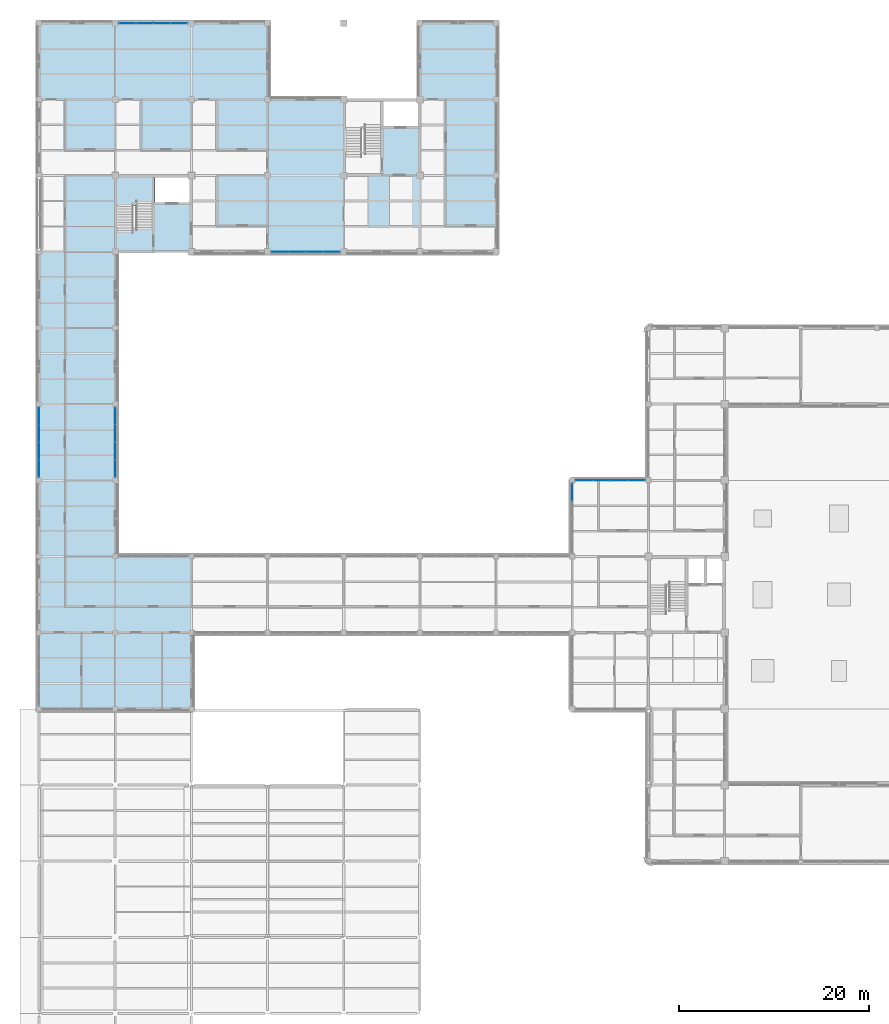
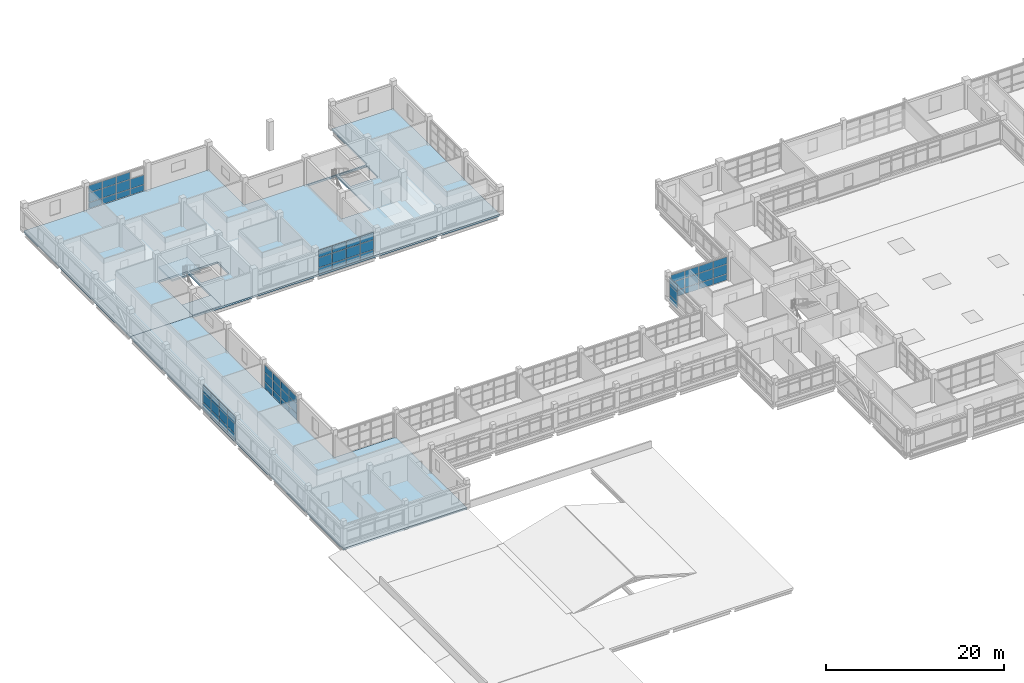
# One storey, part 62 of 107: 62 plates, 4 slabs, 7 elements without a shape of their own.
"""IFC4 building model written with IfcOpenShell, lengths in metres."""

from ifc_helpers import new_model, si_unit, derived_unit, direction, frame, origin, origin_2d, place, context, subcontext, project, spatial, polyline, rectangle, outline, extrude, material, layer, layer_set, type_object, element, aggregate, save


model = new_model("IFC4")

# Units and contexts
model_context = context("Model", 3, precision=1e-05, world=origin(), true_north=direction((0.0, 1.0)))
body_context = subcontext(model_context, "Body", "Model", "MODEL_VIEW")
ifc_project = project(units=[si_unit("LENGTHUNIT", "METRE"), si_unit("AREAUNIT", "SQUARE_METRE"), si_unit("VOLUMEUNIT", "CUBIC_METRE"), si_unit("PLANEANGLEUNIT", "RADIAN"), si_unit("MASSUNIT", "GRAM", prefix="KILO"), derived_unit("THERMALTRANSMITTANCEUNIT", [(si_unit("MASSUNIT", "GRAM", prefix="KILO"), 1), (si_unit("TIMEUNIT", "SECOND"), -3), (si_unit("THERMODYNAMICTEMPERATUREUNIT", "KELVIN"), -1)])], contexts=[model_context])

# Site, building, storey
site_placement = place(None, origin())
site = spatial("IfcSite", under=ifc_project, at=site_placement, CompositionType="ELEMENT")
building_placement = place(site_placement, origin())
building = spatial("IfcBuilding", under=site, at=building_placement, Name="Veyamyaing Civic Hall", CompositionType="ELEMENT")
storey_placement = place(building_placement, frame((0.0, 0.0, 13.860107421875)))
storey = spatial("IfcBuildingStorey", under=building, at=storey_placement, Name="L03", CompositionType="ELEMENT", Elevation=13.860107421875)

# Curtain wall, plates
ifc_material_1 = material(Name="Anodised aluminium 6063-T6", Category="aluminium")
ifc_layer_1 = layer(ifc_material_1, 0.159912109375, Name="Anodised aluminium 6063-T6")
ifc_layer_set_1 = layer_set([ifc_layer_1], Name="Anodised aluminium 6063-T6")
curtain_wall_type = type_object("IfcCurtainWallType", Name="CW-07", PredefinedType="NOTDEFINED", material=ifc_layer_set_1)
curtain_wall_1_placement = place(storey_placement, origin())
curtain_wall_1 = element("IfcCurtainWall", 1, at=curtain_wall_1_placement, inside=storey, type_object=curtain_wall_type, Name="Unitized curtain wall CW-07 L03 W 1.9", PredefinedType="NOTDEFINED")
ifc_material_2 = material(Name="Low-E insulated glass", Category="glass")
ifc_layer_2 = layer(ifc_material_2, 0.028076171875, Name="Low-E insulated glass")
ifc_layer_set_2 = layer_set([ifc_layer_2], Name="Low-E insulated glass")
plate_type = type_object("IfcPlateType", Name="CWP-01", PredefinedType="CURTAIN_PANEL", material=ifc_layer_set_2)
plate_1_placement = place(storey_placement, frame((0.0, 65.2451171875, 0.06494140625), z_axis=(0.0, 0.0, 1.0), x_axis=(0.0, 1.0, 0.0)))
plate_1 = element("IfcPlate", 2, at=plate_1_placement, type_object=plate_type, Name="CW-07 panel 1.1", PredefinedType="CURTAIN_PANEL", context=body_context, shape_type="SweptSolid", body=[
    extrude(rectangle(XDim=1.75, YDim=0.028076171875, at=origin_2d()), origin(), (0.0, 0.0, 1.0), 0.802490234375),
])
plate_2_placement = place(storey_placement, frame((0.0, 65.2451171875, 0.932373046875), z_axis=(0.0, 0.0, 1.0), x_axis=(0.0, 1.0, 0.0)))
plate_2 = element("IfcPlate", 3, at=plate_2_placement, type_object=plate_type, Name="CW-07 panel 1.2", PredefinedType="CURTAIN_PANEL", context=body_context, shape_type="SweptSolid", body=[
    extrude(rectangle(XDim=1.75, YDim=0.028076171875, at=origin_2d()), origin(), (0.0, 0.0, 1.0), 1.32470703125),
])
plate_3_placement = place(storey_placement, frame((0.0, 65.2451171875, 2.322021484375), z_axis=(0.0, 0.0, 1.0), x_axis=(0.0, 1.0, 0.0)))
plate_3 = element("IfcPlate", 4, at=plate_3_placement, type_object=plate_type, Name="CW-07 panel 1.3", PredefinedType="CURTAIN_PANEL", context=body_context, shape_type="SweptSolid", body=[
    extrude(rectangle(XDim=1.75, YDim=0.028076171875, at=origin_2d()), origin(), (0.0, 0.0, 1.0), 0.97998046875),
])
plate_4_placement = place(storey_placement, frame((0.0, 67.076171875, 0.06494140625), z_axis=(0.0, 0.0, 1.0), x_axis=(0.0, 1.0, 0.0)))
plate_4 = element("IfcPlate", 5, at=plate_4_placement, type_object=plate_type, Name="CW-07 panel 2.1", PredefinedType="CURTAIN_PANEL", context=body_context, shape_type="SweptSolid", body=[
    extrude(rectangle(XDim=1.782470703125, YDim=0.028076171875, at=origin_2d()), origin(), (0.0, 0.0, 1.0), 0.802490234375),
])
plate_5_placement = place(storey_placement, frame((0.0, 67.076171875, 0.932373046875), z_axis=(0.0, 0.0, 1.0), x_axis=(0.0, 1.0, 0.0)))
plate_5 = element("IfcPlate", 6, at=plate_5_placement, type_object=plate_type, Name="CW-07 panel 2.2", PredefinedType="CURTAIN_PANEL", context=body_context, shape_type="SweptSolid", body=[
    extrude(rectangle(XDim=1.782470703125, YDim=0.028076171875, at=origin_2d()), origin(), (0.0, 0.0, 1.0), 1.32470703125),
])
plate_6_placement = place(storey_placement, frame((0.0, 67.076171875, 2.322021484375), z_axis=(0.0, 0.0, 1.0), x_axis=(0.0, 1.0, 0.0)))
plate_6 = element("IfcPlate", 7, at=plate_6_placement, type_object=plate_type, Name="CW-07 panel 2.3", PredefinedType="CURTAIN_PANEL", context=body_context, shape_type="SweptSolid", body=[
    extrude(rectangle(XDim=1.782470703125, YDim=0.028076171875, at=origin_2d()), origin(), (0.0, 0.0, 1.0), 0.97998046875),
])
plate_7_placement = place(storey_placement, frame((0.0, 68.923828125, 0.06494140625), z_axis=(0.0, 0.0, 1.0), x_axis=(0.0, 1.0, 0.0)))
plate_7 = element("IfcPlate", 8, at=plate_7_placement, type_object=plate_type, Name="CW-07 panel 3.1", PredefinedType="CURTAIN_PANEL", context=body_context, shape_type="SweptSolid", body=[
    extrude(rectangle(XDim=1.782470703125, YDim=0.028076171875, at=origin_2d()), origin(), (0.0, 0.0, 1.0), 0.802490234375),
])
plate_8_placement = place(storey_placement, frame((0.0, 68.923828125, 0.932373046875), z_axis=(0.0, 0.0, 1.0), x_axis=(0.0, 1.0, 0.0)))
plate_8 = element("IfcPlate", 9, at=plate_8_placement, type_object=plate_type, Name="CW-07 panel 3.2", PredefinedType="CURTAIN_PANEL", context=body_context, shape_type="SweptSolid", body=[
    extrude(rectangle(XDim=1.782470703125, YDim=0.028076171875, at=origin_2d()), origin(), (0.0, 0.0, 1.0), 1.32470703125),
])
plate_9_placement = place(storey_placement, frame((0.0, 68.923828125, 2.322021484375), z_axis=(0.0, 0.0, 1.0), x_axis=(0.0, 1.0, 0.0)))
plate_9 = element("IfcPlate", 10, at=plate_9_placement, type_object=plate_type, Name="CW-07 panel 3.3", PredefinedType="CURTAIN_PANEL", context=body_context, shape_type="SweptSolid", body=[
    extrude(rectangle(XDim=1.782470703125, YDim=0.028076171875, at=origin_2d()), origin(), (0.0, 0.0, 1.0), 0.97998046875),
])
plate_10_placement = place(storey_placement, frame((0.0, 70.7548828125, 0.06494140625), z_axis=(0.0, 0.0, 1.0), x_axis=(0.0, 1.0, 0.0)))
plate_10 = element("IfcPlate", 11, at=plate_10_placement, type_object=plate_type, Name="CW-07 panel 4.1", PredefinedType="CURTAIN_PANEL", context=body_context, shape_type="SweptSolid", body=[
    extrude(rectangle(XDim=1.75, YDim=0.028076171875, at=origin_2d()), origin(), (0.0, 0.0, 1.0), 0.802490234375),
])
plate_11_placement = place(storey_placement, frame((0.0, 70.7548828125, 0.932373046875), z_axis=(0.0, 0.0, 1.0), x_axis=(0.0, 1.0, 0.0)))
plate_11 = element("IfcPlate", 12, at=plate_11_placement, type_object=plate_type, Name="CW-07 panel 4.2", PredefinedType="CURTAIN_PANEL", context=body_context, shape_type="SweptSolid", body=[
    extrude(rectangle(XDim=1.75, YDim=0.028076171875, at=origin_2d()), origin(), (0.0, 0.0, 1.0), 1.32470703125),
])
plate_12_placement = place(storey_placement, frame((0.0, 70.7548828125, 2.322021484375), z_axis=(0.0, 0.0, 1.0), x_axis=(0.0, 1.0, 0.0)))
plate_12 = element("IfcPlate", 13, at=plate_12_placement, type_object=plate_type, Name="CW-07 panel 4.3", PredefinedType="CURTAIN_PANEL", context=body_context, shape_type="SweptSolid", body=[
    extrude(rectangle(XDim=1.75, YDim=0.028076171875, at=origin_2d()), origin(), (0.0, 0.0, 1.0), 0.97998046875),
])
aggregate(curtain_wall_1, [plate_1, plate_2, plate_3, plate_4, plate_5, plate_6, plate_7, plate_8, plate_9, plate_10, plate_11, plate_12])

curtain_wall_2_placement = place(storey_placement, origin())
curtain_wall_2 = element("IfcCurtainWall", 14, at=curtain_wall_2_placement, inside=storey, type_object=curtain_wall_type, Name="Unitized curtain wall CW-07 L03 E 1.9", PredefinedType="NOTDEFINED")
plate_13_placement = place(storey_placement, frame((8.0, 65.2451171875, 0.06494140625), z_axis=(0.0, 0.0, 1.0), x_axis=(0.0, 1.0, 0.0)))
plate_13 = element("IfcPlate", 15, at=plate_13_placement, type_object=plate_type, Name="CW-07 panel 1.1", PredefinedType="CURTAIN_PANEL", context=body_context, shape_type="SweptSolid", body=[
    extrude(rectangle(XDim=1.75, YDim=0.028076171875, at=origin_2d()), origin(), (0.0, 0.0, 1.0), 0.802490234375),
])
plate_14_placement = place(storey_placement, frame((8.0, 65.2451171875, 0.93212890625), z_axis=(0.0, 0.0, 1.0), x_axis=(0.0, 1.0, 0.0)))
plate_14 = element("IfcPlate", 16, at=plate_14_placement, type_object=plate_type, Name="CW-07 panel 1.2", PredefinedType="CURTAIN_PANEL", context=body_context, shape_type="SweptSolid", body=[
    extrude(rectangle(XDim=1.75, YDim=0.028076171875, at=origin_2d()), origin(), (0.0, 0.0, 1.0), 1.279052734375),
])
plate_15_placement = place(storey_placement, frame((8.0, 65.2451171875, 2.2763671875), z_axis=(0.0, 0.0, 1.0), x_axis=(0.0, 1.0, 0.0)))
plate_15 = element("IfcPlate", 17, at=plate_15_placement, type_object=plate_type, Name="CW-07 panel 1.3", PredefinedType="CURTAIN_PANEL", context=body_context, shape_type="SweptSolid", body=[
    extrude(rectangle(XDim=1.75, YDim=0.028076171875, at=origin_2d()), origin(), (0.0, 0.0, 1.0), 0.95849609375),
])
plate_16_placement = place(storey_placement, frame((8.0, 67.076171875, 0.06494140625), z_axis=(0.0, 0.0, 1.0), x_axis=(0.0, 1.0, 0.0)))
plate_16 = element("IfcPlate", 18, at=plate_16_placement, type_object=plate_type, Name="CW-07 panel 2.1", PredefinedType="CURTAIN_PANEL", context=body_context, shape_type="SweptSolid", body=[
    extrude(rectangle(XDim=1.782470703125, YDim=0.028076171875, at=origin_2d()), origin(), (0.0, 0.0, 1.0), 0.802490234375),
])
plate_17_placement = place(storey_placement, frame((8.0, 67.076171875, 0.93212890625), z_axis=(0.0, 0.0, 1.0), x_axis=(0.0, 1.0, 0.0)))
plate_17 = element("IfcPlate", 19, at=plate_17_placement, type_object=plate_type, Name="CW-07 panel 2.2", PredefinedType="CURTAIN_PANEL", context=body_context, shape_type="SweptSolid", body=[
    extrude(rectangle(XDim=1.782470703125, YDim=0.028076171875, at=origin_2d()), origin(), (0.0, 0.0, 1.0), 1.279052734375),
])
plate_18_placement = place(storey_placement, frame((8.0, 67.076171875, 2.2763671875), z_axis=(0.0, 0.0, 1.0), x_axis=(0.0, 1.0, 0.0)))
plate_18 = element("IfcPlate", 20, at=plate_18_placement, type_object=plate_type, Name="CW-07 panel 2.3", PredefinedType="CURTAIN_PANEL", context=body_context, shape_type="SweptSolid", body=[
    extrude(rectangle(XDim=1.782470703125, YDim=0.028076171875, at=origin_2d()), origin(), (0.0, 0.0, 1.0), 0.95849609375),
])
plate_19_placement = place(storey_placement, frame((8.0, 68.923828125, 0.06494140625), z_axis=(0.0, 0.0, 1.0), x_axis=(0.0, 1.0, 0.0)))
plate_19 = element("IfcPlate", 21, at=plate_19_placement, type_object=plate_type, Name="CW-07 panel 3.1", PredefinedType="CURTAIN_PANEL", context=body_context, shape_type="SweptSolid", body=[
    extrude(rectangle(XDim=1.782470703125, YDim=0.028076171875, at=origin_2d()), origin(), (0.0, 0.0, 1.0), 0.802490234375),
])
plate_20_placement = place(storey_placement, frame((8.0, 68.923828125, 0.93212890625), z_axis=(0.0, 0.0, 1.0), x_axis=(0.0, 1.0, 0.0)))
plate_20 = element("IfcPlate", 22, at=plate_20_placement, type_object=plate_type, Name="CW-07 panel 3.2", PredefinedType="CURTAIN_PANEL", context=body_context, shape_type="SweptSolid", body=[
    extrude(rectangle(XDim=1.782470703125, YDim=0.028076171875, at=origin_2d()), origin(), (0.0, 0.0, 1.0), 1.279052734375),
])
plate_21_placement = place(storey_placement, frame((8.0, 68.923828125, 2.2763671875), z_axis=(0.0, 0.0, 1.0), x_axis=(0.0, 1.0, 0.0)))
plate_21 = element("IfcPlate", 23, at=plate_21_placement, type_object=plate_type, Name="CW-07 panel 3.3", PredefinedType="CURTAIN_PANEL", context=body_context, shape_type="SweptSolid", body=[
    extrude(rectangle(XDim=1.782470703125, YDim=0.028076171875, at=origin_2d()), origin(), (0.0, 0.0, 1.0), 0.95849609375),
])
plate_22_placement = place(storey_placement, frame((8.0, 70.7548828125, 0.06494140625), z_axis=(0.0, 0.0, 1.0), x_axis=(0.0, 1.0, 0.0)))
plate_22 = element("IfcPlate", 24, at=plate_22_placement, type_object=plate_type, Name="CW-07 panel 4.1", PredefinedType="CURTAIN_PANEL", context=body_context, shape_type="SweptSolid", body=[
    extrude(rectangle(XDim=1.75, YDim=0.028076171875, at=origin_2d()), origin(), (0.0, 0.0, 1.0), 0.802490234375),
])
plate_23_placement = place(storey_placement, frame((8.0, 70.7548828125, 0.93212890625), z_axis=(0.0, 0.0, 1.0), x_axis=(0.0, 1.0, 0.0)))
plate_23 = element("IfcPlate", 25, at=plate_23_placement, type_object=plate_type, Name="CW-07 panel 4.2", PredefinedType="CURTAIN_PANEL", context=body_context, shape_type="SweptSolid", body=[
    extrude(rectangle(XDim=1.75, YDim=0.028076171875, at=origin_2d()), origin(), (0.0, 0.0, 1.0), 1.279052734375),
])
plate_24_placement = place(storey_placement, frame((8.0, 70.7548828125, 2.2763671875), z_axis=(0.0, 0.0, 1.0), x_axis=(0.0, 1.0, 0.0)))
plate_24 = element("IfcPlate", 26, at=plate_24_placement, type_object=plate_type, Name="CW-07 panel 4.3", PredefinedType="CURTAIN_PANEL", context=body_context, shape_type="SweptSolid", body=[
    extrude(rectangle(XDim=1.75, YDim=0.028076171875, at=origin_2d()), origin(), (0.0, 0.0, 1.0), 0.95849609375),
])
aggregate(curtain_wall_2, [plate_13, plate_14, plate_15, plate_16, plate_17, plate_18, plate_19, plate_20, plate_21, plate_22, plate_23, plate_24])

curtain_wall_3_placement = place(storey_placement, origin())
curtain_wall_3 = element("IfcCurtainWall", 27, at=curtain_wall_3_placement, inside=storey, type_object=curtain_wall_type, Name="Unitized curtain wall CW-07 L03 N 2.14", PredefinedType="NOTDEFINED")
plate_25_placement = place(storey_placement, frame((9.282470703125, 112.0, 0.06494140625), z_axis=(0.0, 0.0, 1.0), x_axis=(1.0, 0.0, 0.0)))
plate_25 = element("IfcPlate", 28, at=plate_25_placement, type_object=plate_type, Name="CW-07 panel 1.1", PredefinedType="CURTAIN_PANEL", context=body_context, shape_type="SweptSolid", body=[
    extrude(rectangle(XDim=1.72509765625, YDim=0.028076171875, at=origin_2d()), origin(), (0.0, 0.0, 1.0), 0.802490234375),
])
plate_26_placement = place(storey_placement, frame((9.282470703125, 112.0, 0.932373046875), z_axis=(0.0, 0.0, 1.0), x_axis=(1.0, 0.0, 0.0)))
plate_26 = element("IfcPlate", 29, at=plate_26_placement, type_object=plate_type, Name="CW-07 panel 1.2", PredefinedType="CURTAIN_PANEL", context=body_context, shape_type="SweptSolid", body=[
    extrude(rectangle(XDim=1.72509765625, YDim=0.028076171875, at=origin_2d()), origin(), (0.0, 0.0, 1.0), 1.28173828125),
])
plate_27_placement = place(storey_placement, frame((9.282470703125, 112.0, 2.279296875), z_axis=(0.0, 0.0, 1.0), x_axis=(1.0, 0.0, 0.0)))
plate_27 = element("IfcPlate", 30, at=plate_27_placement, type_object=plate_type, Name="CW-07 panel 1.3", PredefinedType="CURTAIN_PANEL", context=body_context, shape_type="SweptSolid", body=[
    extrude(rectangle(XDim=1.72509765625, YDim=0.028076171875, at=origin_2d()), origin(), (0.0, 0.0, 1.0), 0.959716796875),
])
plate_28_placement = place(storey_placement, frame((11.0888671875, 112.0, 0.06494140625), z_axis=(0.0, 0.0, 1.0), x_axis=(1.0, 0.0, 0.0)))
plate_28 = element("IfcPlate", 31, at=plate_28_placement, type_object=plate_type, Name="CW-07 panel 2.1", PredefinedType="CURTAIN_PANEL", context=body_context, shape_type="SweptSolid", body=[
    extrude(rectangle(XDim=1.757568359375, YDim=0.028076171875, at=origin_2d()), origin(), (0.0, 0.0, 1.0), 0.802490234375),
])
plate_29_placement = place(storey_placement, frame((11.0888671875, 112.0, 0.932373046875), z_axis=(0.0, 0.0, 1.0), x_axis=(1.0, 0.0, 0.0)))
plate_29 = element("IfcPlate", 32, at=plate_29_placement, type_object=plate_type, Name="CW-07 panel 2.2", PredefinedType="CURTAIN_PANEL", context=body_context, shape_type="SweptSolid", body=[
    extrude(rectangle(XDim=1.757568359375, YDim=0.028076171875, at=origin_2d()), origin(), (0.0, 0.0, 1.0), 1.28173828125),
])
plate_30_placement = place(storey_placement, frame((11.0888671875, 112.0, 2.279296875), z_axis=(0.0, 0.0, 1.0), x_axis=(1.0, 0.0, 0.0)))
plate_30 = element("IfcPlate", 33, at=plate_30_placement, type_object=plate_type, Name="CW-07 panel 2.3", PredefinedType="CURTAIN_PANEL", context=body_context, shape_type="SweptSolid", body=[
    extrude(rectangle(XDim=1.757568359375, YDim=0.028076171875, at=origin_2d()), origin(), (0.0, 0.0, 1.0), 0.959716796875),
])
plate_31_placement = place(storey_placement, frame((12.9111328125, 112.0, 0.06494140625), z_axis=(0.0, 0.0, 1.0), x_axis=(1.0, 0.0, 0.0)))
plate_31 = element("IfcPlate", 34, at=plate_31_placement, type_object=plate_type, Name="CW-07 panel 3.1", PredefinedType="CURTAIN_PANEL", context=body_context, shape_type="SweptSolid", body=[
    extrude(rectangle(XDim=1.757568359375, YDim=0.028076171875, at=origin_2d()), origin(), (0.0, 0.0, 1.0), 0.802490234375),
])
plate_32_placement = place(storey_placement, frame((12.9111328125, 112.0, 0.932373046875), z_axis=(0.0, 0.0, 1.0), x_axis=(1.0, 0.0, 0.0)))
plate_32 = element("IfcPlate", 35, at=plate_32_placement, type_object=plate_type, Name="CW-07 panel 3.2", PredefinedType="CURTAIN_PANEL", context=body_context, shape_type="SweptSolid", body=[
    extrude(rectangle(XDim=1.757568359375, YDim=0.028076171875, at=origin_2d()), origin(), (0.0, 0.0, 1.0), 1.28173828125),
])
plate_33_placement = place(storey_placement, frame((12.9111328125, 112.0, 2.279296875), z_axis=(0.0, 0.0, 1.0), x_axis=(1.0, 0.0, 0.0)))
plate_33 = element("IfcPlate", 36, at=plate_33_placement, type_object=plate_type, Name="CW-07 panel 3.3", PredefinedType="CURTAIN_PANEL", context=body_context, shape_type="SweptSolid", body=[
    extrude(rectangle(XDim=1.757568359375, YDim=0.028076171875, at=origin_2d()), origin(), (0.0, 0.0, 1.0), 0.959716796875),
])
plate_34_placement = place(storey_placement, frame((14.717529296875, 112.0, 0.06494140625), z_axis=(0.0, 0.0, 1.0), x_axis=(1.0, 0.0, 0.0)))
plate_34 = element("IfcPlate", 37, at=plate_34_placement, type_object=plate_type, Name="CW-07 panel 4.1", PredefinedType="CURTAIN_PANEL", context=body_context, shape_type="SweptSolid", body=[
    extrude(rectangle(XDim=1.72509765625, YDim=0.028076171875, at=origin_2d()), origin(), (0.0, 0.0, 1.0), 0.802490234375),
])
plate_35_placement = place(storey_placement, frame((14.717529296875, 112.0, 0.932373046875), z_axis=(0.0, 0.0, 1.0), x_axis=(1.0, 0.0, 0.0)))
plate_35 = element("IfcPlate", 38, at=plate_35_placement, type_object=plate_type, Name="CW-07 panel 4.2", PredefinedType="CURTAIN_PANEL", context=body_context, shape_type="SweptSolid", body=[
    extrude(rectangle(XDim=1.72509765625, YDim=0.028076171875, at=origin_2d()), origin(), (0.0, 0.0, 1.0), 1.28173828125),
])
aggregate(curtain_wall_3, [plate_25, plate_26, plate_27, plate_28, plate_29, plate_30, plate_31, plate_32, plate_33, plate_34, plate_35])

curtain_wall_4_placement = place(storey_placement, origin())
curtain_wall_4 = element("IfcCurtainWall", 39, at=curtain_wall_4_placement, inside=storey, type_object=curtain_wall_type, Name="Unitized curtain wall CW-07 L03 S 4.12", PredefinedType="NOTDEFINED")
plate_36_placement = place(storey_placement, frame((25.282470703125, 88.0, 0.06494140625), z_axis=(0.0, 0.0, 1.0), x_axis=(1.0, 0.0, 0.0)))
plate_36 = element("IfcPlate", 40, at=plate_36_placement, type_object=plate_type, Name="CW-07 panel 1.1", PredefinedType="CURTAIN_PANEL", context=body_context, shape_type="SweptSolid", body=[
    extrude(rectangle(XDim=1.72509765625, YDim=0.028076171875, at=origin_2d()), origin(), (0.0, 0.0, 1.0), 0.802490234375),
])
plate_37_placement = place(storey_placement, frame((25.282470703125, 88.0, 0.9326171875), z_axis=(0.0, 0.0, 1.0), x_axis=(1.0, 0.0, 0.0)))
plate_37 = element("IfcPlate", 41, at=plate_37_placement, type_object=plate_type, Name="CW-07 panel 1.2", PredefinedType="CURTAIN_PANEL", context=body_context, shape_type="SweptSolid", body=[
    extrude(rectangle(XDim=1.72509765625, YDim=0.028076171875, at=origin_2d()), origin(), (0.0, 0.0, 1.0), 1.322509765625),
])
plate_38_placement = place(storey_placement, frame((25.282470703125, 88.0, 2.31982421875), z_axis=(0.0, 0.0, 1.0), x_axis=(1.0, 0.0, 0.0)))
plate_38 = element("IfcPlate", 42, at=plate_38_placement, type_object=plate_type, Name="CW-07 panel 1.3", PredefinedType="CURTAIN_PANEL", context=body_context, shape_type="SweptSolid", body=[
    extrude(rectangle(XDim=1.72509765625, YDim=0.028076171875, at=origin_2d()), origin(), (0.0, 0.0, 1.0), 0.97900390625),
])
plate_39_placement = place(storey_placement, frame((27.0888671875, 88.0, 0.06494140625), z_axis=(0.0, 0.0, 1.0), x_axis=(1.0, 0.0, 0.0)))
plate_39 = element("IfcPlate", 43, at=plate_39_placement, type_object=plate_type, Name="CW-07 panel 2.1", PredefinedType="CURTAIN_PANEL", context=body_context, shape_type="SweptSolid", body=[
    extrude(rectangle(XDim=1.757568359375, YDim=0.028076171875, at=origin_2d()), origin(), (0.0, 0.0, 1.0), 0.802490234375),
])
plate_40_placement = place(storey_placement, frame((27.0888671875, 88.0, 0.9326171875), z_axis=(0.0, 0.0, 1.0), x_axis=(1.0, 0.0, 0.0)))
plate_40 = element("IfcPlate", 44, at=plate_40_placement, type_object=plate_type, Name="CW-07 panel 2.2", PredefinedType="CURTAIN_PANEL", context=body_context, shape_type="SweptSolid", body=[
    extrude(rectangle(XDim=1.757568359375, YDim=0.028076171875, at=origin_2d()), origin(), (0.0, 0.0, 1.0), 1.322509765625),
])
plate_41_placement = place(storey_placement, frame((27.0888671875, 88.0, 2.31982421875), z_axis=(0.0, 0.0, 1.0), x_axis=(1.0, 0.0, 0.0)))
plate_41 = element("IfcPlate", 45, at=plate_41_placement, type_object=plate_type, Name="CW-07 panel 2.3", PredefinedType="CURTAIN_PANEL", context=body_context, shape_type="SweptSolid", body=[
    extrude(rectangle(XDim=1.757568359375, YDim=0.028076171875, at=origin_2d()), origin(), (0.0, 0.0, 1.0), 0.97900390625),
])
plate_42_placement = place(storey_placement, frame((28.9111328125, 88.0, 0.06494140625), z_axis=(0.0, 0.0, 1.0), x_axis=(1.0, 0.0, 0.0)))
plate_42 = element("IfcPlate", 46, at=plate_42_placement, type_object=plate_type, Name="CW-07 panel 3.1", PredefinedType="CURTAIN_PANEL", context=body_context, shape_type="SweptSolid", body=[
    extrude(rectangle(XDim=1.757568359375, YDim=0.028076171875, at=origin_2d()), origin(), (0.0, 0.0, 1.0), 0.802490234375),
])
plate_43_placement = place(storey_placement, frame((28.9111328125, 88.0, 0.9326171875), z_axis=(0.0, 0.0, 1.0), x_axis=(1.0, 0.0, 0.0)))
plate_43 = element("IfcPlate", 47, at=plate_43_placement, type_object=plate_type, Name="CW-07 panel 3.2", PredefinedType="CURTAIN_PANEL", context=body_context, shape_type="SweptSolid", body=[
    extrude(rectangle(XDim=1.757568359375, YDim=0.028076171875, at=origin_2d()), origin(), (0.0, 0.0, 1.0), 1.322509765625),
])
plate_44_placement = place(storey_placement, frame((28.9111328125, 88.0, 2.31982421875), z_axis=(0.0, 0.0, 1.0), x_axis=(1.0, 0.0, 0.0)))
plate_44 = element("IfcPlate", 48, at=plate_44_placement, type_object=plate_type, Name="CW-07 panel 3.3", PredefinedType="CURTAIN_PANEL", context=body_context, shape_type="SweptSolid", body=[
    extrude(rectangle(XDim=1.757568359375, YDim=0.028076171875, at=origin_2d()), origin(), (0.0, 0.0, 1.0), 0.97900390625),
])
plate_45_placement = place(storey_placement, frame((30.717529296875, 88.0, 0.06494140625), z_axis=(0.0, 0.0, 1.0), x_axis=(1.0, 0.0, 0.0)))
plate_45 = element("IfcPlate", 49, at=plate_45_placement, type_object=plate_type, Name="CW-07 panel 4.1", PredefinedType="CURTAIN_PANEL", context=body_context, shape_type="SweptSolid", body=[
    extrude(rectangle(XDim=1.72509765625, YDim=0.028076171875, at=origin_2d()), origin(), (0.0, 0.0, 1.0), 0.802490234375),
])
plate_46_placement = place(storey_placement, frame((30.717529296875, 88.0, 0.9326171875), z_axis=(0.0, 0.0, 1.0), x_axis=(1.0, 0.0, 0.0)))
plate_46 = element("IfcPlate", 50, at=plate_46_placement, type_object=plate_type, Name="CW-07 panel 4.2", PredefinedType="CURTAIN_PANEL", context=body_context, shape_type="SweptSolid", body=[
    extrude(rectangle(XDim=1.72509765625, YDim=0.028076171875, at=origin_2d()), origin(), (0.0, 0.0, 1.0), 1.322509765625),
])
plate_47_placement = place(storey_placement, frame((30.717529296875, 88.0, 2.31982421875), z_axis=(0.0, 0.0, 1.0), x_axis=(1.0, 0.0, 0.0)))
plate_47 = element("IfcPlate", 51, at=plate_47_placement, type_object=plate_type, Name="CW-07 panel 4.3", PredefinedType="CURTAIN_PANEL", context=body_context, shape_type="SweptSolid", body=[
    extrude(rectangle(XDim=1.72509765625, YDim=0.028076171875, at=origin_2d()), origin(), (0.0, 0.0, 1.0), 0.97900390625),
])
aggregate(curtain_wall_4, [plate_36, plate_37, plate_38, plate_39, plate_40, plate_41, plate_42, plate_43, plate_44, plate_45, plate_46, plate_47])

curtain_wall_5_placement = place(storey_placement, origin())
curtain_wall_5 = element("IfcCurtainWall", 52, at=curtain_wall_5_placement, inside=storey, type_object=curtain_wall_type, Name="Unitized curtain wall CW-07 L03 N 8.8", PredefinedType="NOTDEFINED")
plate_48_placement = place(storey_placement, frame((57.2451171875, 64.0, 0.06494140625), z_axis=(0.0, 0.0, 1.0), x_axis=(1.0, 0.0, 0.0)))
plate_48 = element("IfcPlate", 53, at=plate_48_placement, type_object=plate_type, Name="CW-07 panel 1.1", PredefinedType="CURTAIN_PANEL", context=body_context, shape_type="SweptSolid", body=[
    extrude(rectangle(XDim=1.75, YDim=0.028076171875, at=origin_2d()), origin(), (0.0, 0.0, 1.0), 0.802490234375),
])
plate_49_placement = place(storey_placement, frame((57.2451171875, 64.0, 0.932373046875), z_axis=(0.0, 0.0, 1.0), x_axis=(1.0, 0.0, 0.0)))
plate_49 = element("IfcPlate", 54, at=plate_49_placement, type_object=plate_type, Name="CW-07 panel 1.2", PredefinedType="CURTAIN_PANEL", context=body_context, shape_type="SweptSolid", body=[
    extrude(rectangle(XDim=1.75, YDim=0.028076171875, at=origin_2d()), origin(), (0.0, 0.0, 1.0), 1.28173828125),
])
plate_50_placement = place(storey_placement, frame((57.2451171875, 64.0, 2.279296875), z_axis=(0.0, 0.0, 1.0), x_axis=(1.0, 0.0, 0.0)))
plate_50 = element("IfcPlate", 55, at=plate_50_placement, type_object=plate_type, Name="CW-07 panel 1.3", PredefinedType="CURTAIN_PANEL", context=body_context, shape_type="SweptSolid", body=[
    extrude(rectangle(XDim=1.75, YDim=0.028076171875, at=origin_2d()), origin(), (0.0, 0.0, 1.0), 0.959716796875),
])
plate_51_placement = place(storey_placement, frame((59.076171875, 64.0, 0.06494140625), z_axis=(0.0, 0.0, 1.0), x_axis=(1.0, 0.0, 0.0)))
plate_51 = element("IfcPlate", 56, at=plate_51_placement, type_object=plate_type, Name="CW-07 panel 2.1", PredefinedType="CURTAIN_PANEL", context=body_context, shape_type="SweptSolid", body=[
    extrude(rectangle(XDim=1.782470703125, YDim=0.028076171875, at=origin_2d()), origin(), (0.0, 0.0, 1.0), 0.802490234375),
])
plate_52_placement = place(storey_placement, frame((59.076171875, 64.0, 0.932373046875), z_axis=(0.0, 0.0, 1.0), x_axis=(1.0, 0.0, 0.0)))
plate_52 = element("IfcPlate", 57, at=plate_52_placement, type_object=plate_type, Name="CW-07 panel 2.2", PredefinedType="CURTAIN_PANEL", context=body_context, shape_type="SweptSolid", body=[
    extrude(rectangle(XDim=1.782470703125, YDim=0.028076171875, at=origin_2d()), origin(), (0.0, 0.0, 1.0), 1.28173828125),
])
plate_53_placement = place(storey_placement, frame((59.076171875, 64.0, 2.279296875), z_axis=(0.0, 0.0, 1.0), x_axis=(1.0, 0.0, 0.0)))
plate_53 = element("IfcPlate", 58, at=plate_53_placement, type_object=plate_type, Name="CW-07 panel 2.3", PredefinedType="CURTAIN_PANEL", context=body_context, shape_type="SweptSolid", body=[
    extrude(rectangle(XDim=1.782470703125, YDim=0.028076171875, at=origin_2d()), origin(), (0.0, 0.0, 1.0), 0.959716796875),
])
plate_54_placement = place(storey_placement, frame((60.923828125, 64.0, 0.06494140625), z_axis=(0.0, 0.0, 1.0), x_axis=(1.0, 0.0, 0.0)))
plate_54 = element("IfcPlate", 59, at=plate_54_placement, type_object=plate_type, Name="CW-07 panel 3.1", PredefinedType="CURTAIN_PANEL", context=body_context, shape_type="SweptSolid", body=[
    extrude(rectangle(XDim=1.782470703125, YDim=0.028076171875, at=origin_2d()), origin(), (0.0, 0.0, 1.0), 0.802490234375),
])
plate_55_placement = place(storey_placement, frame((60.923828125, 64.0, 0.932373046875), z_axis=(0.0, 0.0, 1.0), x_axis=(1.0, 0.0, 0.0)))
plate_55 = element("IfcPlate", 60, at=plate_55_placement, type_object=plate_type, Name="CW-07 panel 3.2", PredefinedType="CURTAIN_PANEL", context=body_context, shape_type="SweptSolid", body=[
    extrude(rectangle(XDim=1.782470703125, YDim=0.028076171875, at=origin_2d()), origin(), (0.0, 0.0, 1.0), 1.28173828125),
])
plate_56_placement = place(storey_placement, frame((60.923828125, 64.0, 2.279296875), z_axis=(0.0, 0.0, 1.0), x_axis=(1.0, 0.0, 0.0)))
plate_56 = element("IfcPlate", 61, at=plate_56_placement, type_object=plate_type, Name="CW-07 panel 3.3", PredefinedType="CURTAIN_PANEL", context=body_context, shape_type="SweptSolid", body=[
    extrude(rectangle(XDim=1.782470703125, YDim=0.028076171875, at=origin_2d()), origin(), (0.0, 0.0, 1.0), 0.959716796875),
])
plate_57_placement = place(storey_placement, frame((62.7548828125, 64.0, 0.06494140625), z_axis=(0.0, 0.0, 1.0), x_axis=(1.0, 0.0, 0.0)))
plate_57 = element("IfcPlate", 62, at=plate_57_placement, type_object=plate_type, Name="CW-07 panel 4.1", PredefinedType="CURTAIN_PANEL", context=body_context, shape_type="SweptSolid", body=[
    extrude(rectangle(XDim=1.75, YDim=0.028076171875, at=origin_2d()), origin(), (0.0, 0.0, 1.0), 0.802490234375),
])
plate_58_placement = place(storey_placement, frame((62.7548828125, 64.0, 0.932373046875), z_axis=(0.0, 0.0, 1.0), x_axis=(1.0, 0.0, 0.0)))
plate_58 = element("IfcPlate", 63, at=plate_58_placement, type_object=plate_type, Name="CW-07 panel 4.2", PredefinedType="CURTAIN_PANEL", context=body_context, shape_type="SweptSolid", body=[
    extrude(rectangle(XDim=1.75, YDim=0.028076171875, at=origin_2d()), origin(), (0.0, 0.0, 1.0), 1.28173828125),
])
plate_59_placement = place(storey_placement, frame((62.7548828125, 64.0, 2.279296875), z_axis=(0.0, 0.0, 1.0), x_axis=(1.0, 0.0, 0.0)))
plate_59 = element("IfcPlate", 64, at=plate_59_placement, type_object=plate_type, Name="CW-07 panel 4.3", PredefinedType="CURTAIN_PANEL", context=body_context, shape_type="SweptSolid", body=[
    extrude(rectangle(XDim=1.75, YDim=0.028076171875, at=origin_2d()), origin(), (0.0, 0.0, 1.0), 0.959716796875),
])
aggregate(curtain_wall_5, [plate_48, plate_49, plate_50, plate_51, plate_52, plate_53, plate_54, plate_55, plate_56, plate_57, plate_58, plate_59])

curtain_wall_6_placement = place(storey_placement, origin())
curtain_wall_6 = element("IfcCurtainWall", 65, at=curtain_wall_6_placement, inside=storey, type_object=curtain_wall_type, Name="Unitized curtain wall CW-07 L03 W 8.8", PredefinedType="NOTDEFINED")
plate_60_placement = place(storey_placement, frame((56.0, 62.7548828125, 0.06494140625), z_axis=(0.0, 0.0, 1.0), x_axis=(0.0, 1.0, 0.0)))
plate_60 = element("IfcPlate", 66, at=plate_60_placement, type_object=plate_type, Name="CW-07 panel 4.1", PredefinedType="CURTAIN_PANEL", context=body_context, shape_type="SweptSolid", body=[
    extrude(rectangle(XDim=1.75, YDim=0.028076171875, at=origin_2d()), origin(), (0.0, 0.0, 1.0), 0.802490234375),
])
plate_61_placement = place(storey_placement, frame((56.0, 62.7548828125, 0.9326171875), z_axis=(0.0, 0.0, 1.0), x_axis=(0.0, 1.0, 0.0)))
plate_61 = element("IfcPlate", 67, at=plate_61_placement, type_object=plate_type, Name="CW-07 panel 4.2", PredefinedType="CURTAIN_PANEL", context=body_context, shape_type="SweptSolid", body=[
    extrude(rectangle(XDim=1.75, YDim=0.028076171875, at=origin_2d()), origin(), (0.0, 0.0, 1.0), 1.322509765625),
])
plate_62_placement = place(storey_placement, frame((56.0, 62.7548828125, 2.31982421875), z_axis=(0.0, 0.0, 1.0), x_axis=(0.0, 1.0, 0.0)))
plate_62 = element("IfcPlate", 68, at=plate_62_placement, type_object=plate_type, Name="CW-07 panel 4.3", PredefinedType="CURTAIN_PANEL", context=body_context, shape_type="SweptSolid", body=[
    extrude(rectangle(XDim=1.75, YDim=0.028076171875, at=origin_2d()), origin(), (0.0, 0.0, 1.0), 0.97900390625),
])
aggregate(curtain_wall_6, [plate_60, plate_61, plate_62])

# Slabs
ifc_material_3 = material(Name="Concrete C40/50", Category="concrete")
ifc_layer_3 = layer(ifc_material_3, 0.2548828125, Name="Concrete C40/50")
ifc_layer_set_3 = layer_set([ifc_layer_3], Name="Concrete C40/50")
slab_type_1 = type_object("IfcSlabType", Name="SL-05", PredefinedType="FLOOR", material=ifc_layer_set_3)
slab_1_placement = place(storey_placement, frame((0.0, 0.0, -0.255126953125)))
element("IfcSlab", 69, at=slab_1_placement, inside=storey, type_object=slab_type_1, Name="Floor slab SL-05 L03 V4NW.1", PredefinedType="FLOOR", context=body_context, shape_type="SweptSolid", body=[
    extrude(outline(polyline([(0.0, 112.0), (24.0, 112.0), (24.0, 104.0), (40.0, 104.0), (40.0, 112.0), (48.0, 112.0), (48.0, 88.0), (0.0, 88.0), (0.0, 112.0)]), holes=[polyline([(11.909912109375, 95.860107421875), (8.139892578125, 95.860107421875), (8.139892578125, 88.139892578125), (11.909912109375, 88.139892578125), (11.909912109375, 95.860107421875)]), polyline([(15.820068359375, 95.820068359375), (12.179931640625, 95.820068359375), (12.179931640625, 93.179931640625), (15.820068359375, 93.179931640625), (15.820068359375, 95.820068359375)]), polyline([(35.909912109375, 103.860107421875), (32.139892578125, 103.860107421875), (32.139892578125, 96.139892578125), (35.909912109375, 96.139892578125), (35.909912109375, 103.860107421875)]), polyline([(39.820068359375, 103.820068359375), (36.179931640625, 103.820068359375), (36.179931640625, 101.179931640625), (39.820068359375, 101.179931640625), (39.820068359375, 103.820068359375)])]), origin(), (0.0, 0.0, 1.0), 0.255126953125),
])
slab_2_placement = place(storey_placement, frame((0.0, 0.0, -0.255126953125)))
element("IfcSlab", 70, at=slab_2_placement, inside=storey, type_object=slab_type_1, Name="Floor slab SL-05 L03 V4SW.1", PredefinedType="FLOOR", context=body_context, shape_type="SweptSolid", body=[
    extrude(outline(polyline([(0.0, 40.0), (0.0, 88.0), (8.0, 88.0), (8.0, 56.0), (16.0, 56.0), (16.0, 40.0), (0.0, 40.0)])), origin(), (0.0, 0.0, 1.0), 0.255126953125),
])
ifc_layer_4 = layer(ifc_material_3, 0.199951171875, Name="Concrete C40/50")
ifc_layer_set_4 = layer_set([ifc_layer_4], Name="Concrete C40/50")
slab_type_2 = type_object("IfcSlabType", Name="SL-16", PredefinedType="FLOOR", material=ifc_layer_set_4)
slab_3_placement = place(storey_placement, frame((0.0, 0.0, -0.2001953125)))
element("IfcSlab", 71, at=slab_3_placement, inside=storey, type_object=slab_type_2, Name="Stair floor landing slab SL-16 ST-01 L03", PredefinedType="FLOOR", context=body_context, shape_type="SweptSolid", body=[
    extrude(outline(polyline([(8.139892578125, 88.139892578125), (11.909912109375, 88.139892578125), (11.909912109375, 90.52001953125), (8.139892578125, 90.52001953125), (8.139892578125, 88.139892578125)])), origin(), (0.0, 0.0, 1.0), 0.2001953125),
])

# Stair, slab
stair_type = type_object("IfcStairType", Name="ST-D", PredefinedType="HALF_TURN_STAIR", material=ifc_material_3)
stair_placement = place(storey_placement, origin())
stair = element("IfcStair", 72, at=stair_placement, inside=storey, type_object=stair_type, Name="Protected exit stair ST-01 L03", PredefinedType="HALF_TURN_STAIR")
ifc_layer_5 = layer(ifc_material_3, 0.195068359375, Name="Concrete C40/50")
ifc_layer_set_5 = layer_set([ifc_layer_5], Name="Concrete C40/50")
slab_type_3 = type_object("IfcSlabType", Name="SL-LND", PredefinedType="LANDING", material=ifc_layer_set_5)
slab_4_placement = place(storey_placement, frame((0.0, 0.0, 1.784912109375)))
slab_4 = element("IfcSlab", 73, at=slab_4_placement, type_object=slab_type_3, Name="ST-01 landing 1", PredefinedType="LANDING", context=body_context, shape_type="SweptSolid", body=[
    extrude(outline(polyline([(8.139892578125, 92.7900390625), (11.909912109375, 92.7900390625), (11.909912109375, 95.860107421875), (8.139892578125, 95.860107421875), (8.139892578125, 92.7900390625)])), origin(), (0.0, 0.0, 1.0), 0.195068359375),
])
aggregate(stair, [slab_4])

save(model, "model.ifc")
